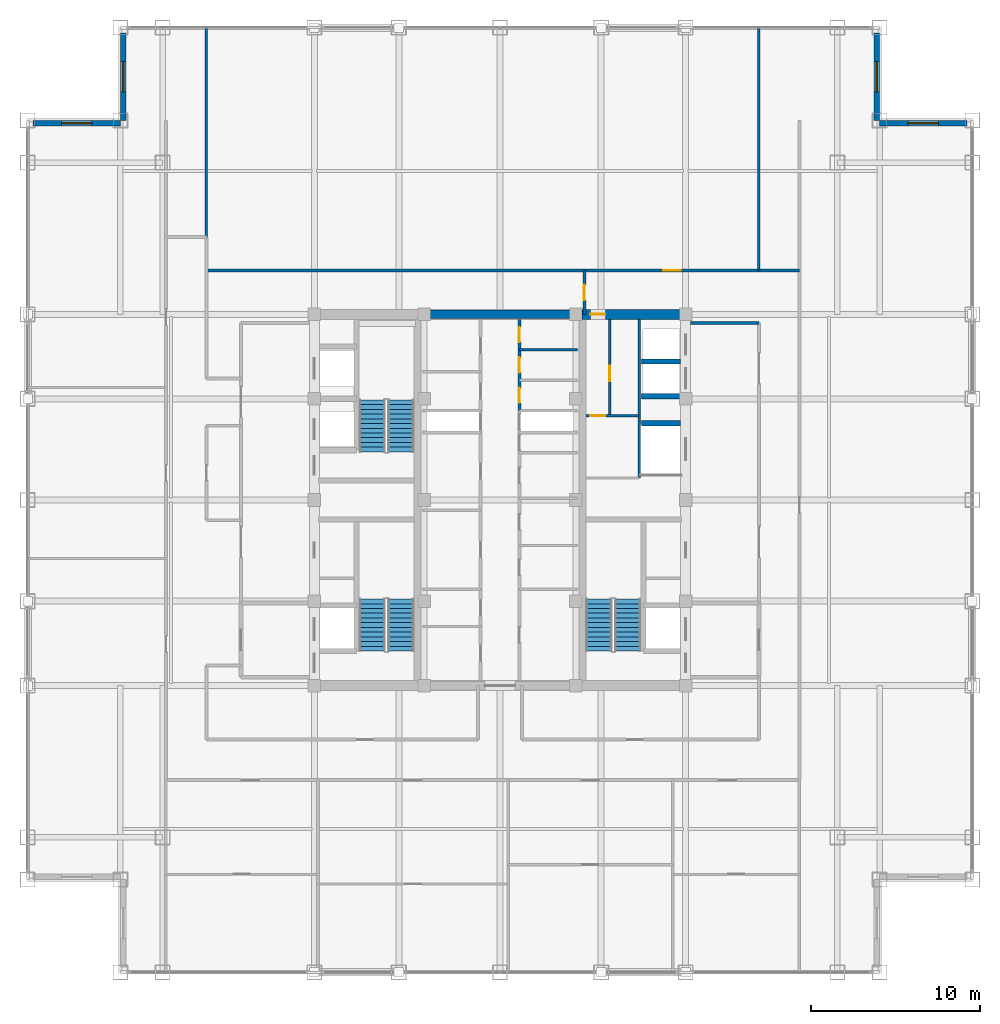
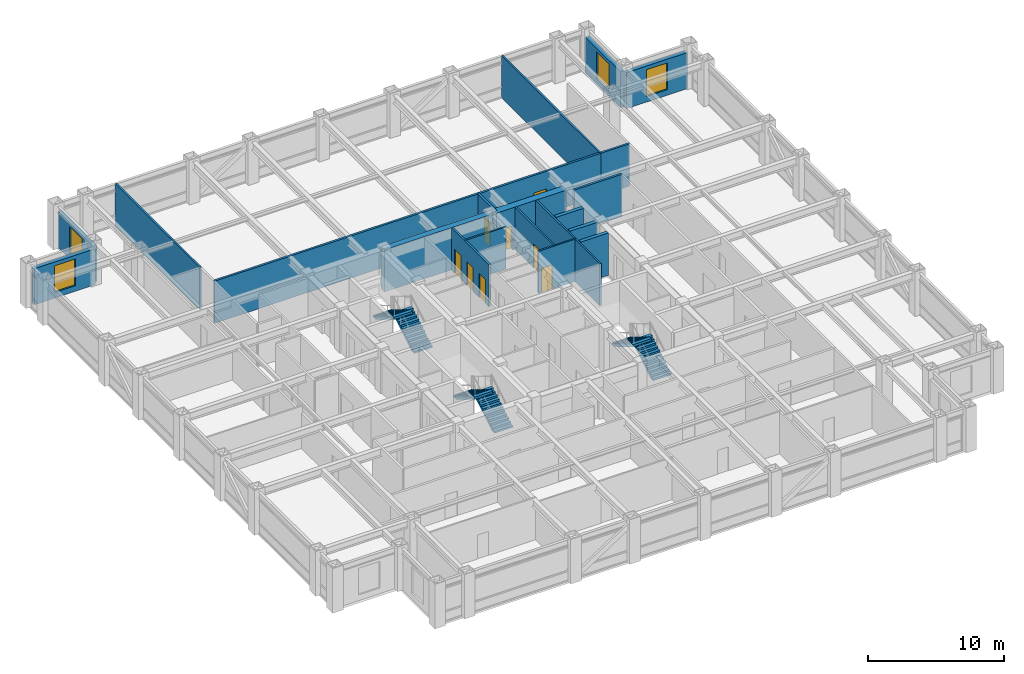
# One storey, part 21 of 22: 20 walls, 8 doors, 6 stair flights, 4 windows, 12 openings, 3 elements without a shape of their own.
"""IFC4 building model written with IfcOpenShell, lengths in metres."""

from ifc_helpers import new_model, si_unit, direction, frame, frame_2d, origin, place, context, subcontext, project, spatial, polyline, rectangle, outline, extrude, source, transform, mapped, material, layer, layer_set, type_object, element, fill, aggregate, save


model = new_model("IFC4")

# Units and contexts
model_context = context("Model", 3, precision=1e-05, world=origin(), true_north=direction((0.0, 1.0)))
body_context = subcontext(model_context, "Body", "Model", "MODEL_VIEW")
ifc_project = project(units=[si_unit("LENGTHUNIT", "METRE"), si_unit("AREAUNIT", "SQUARE_METRE"), si_unit("VOLUMEUNIT", "CUBIC_METRE"), si_unit("PLANEANGLEUNIT", "RADIAN"), si_unit("MASSUNIT", "GRAM", prefix="KILO")], contexts=[model_context])

# Site, building, storey
site_placement = place(None, origin())
site = spatial("IfcSite", under=ifc_project, at=site_placement, CompositionType="ELEMENT")
building_placement = place(site_placement, origin())
building = spatial("IfcBuilding", under=site, at=building_placement, Name="Khorayat Bourse Tower", CompositionType="ELEMENT")
storey_placement = place(building_placement, frame((0.0, 0.0, 289.5)))
storey = spatial("IfcBuildingStorey", under=building, at=storey_placement, Name="L68", CompositionType="ELEMENT", Elevation=289.5)

# Wall, opening, door
ifc_material_1 = material(Name="Concrete C60/75", Category="concrete")
ifc_layer_1 = layer(ifc_material_1, 0.60009765625)
ifc_layer_set_1 = layer_set([ifc_layer_1], Name="Concrete C60/75")
wall_type_1 = type_object("IfcWallType", Name="WAL-CORE-600", PredefinedType="SHEAR", material=ifc_layer_set_1)
shared_shape_1 = source(origin(), body_context, "Body", "SweptSolid", [
    extrude(rectangle(XDim=5.89990234375, YDim=0.60009765625, at=frame_2d((2.949951171875, 0.0))), origin(), (0.0, 0.0, 1.0), 3.780029296875),
])
wall_1_placement = place(storey_placement, frame((4.85009765625, 11.0, 0.0), z_axis=(0.0, 0.0, 1.0), x_axis=(1.0, 0.0, 0.0)))
wall_1 = element("IfcWall", 1, at=wall_1_placement, inside=storey, type_object=wall_type_1, Name="L68 Core Shear Wall PIER-EN", PredefinedType="SHEAR", context=body_context, shape_type="MappedRepresentation", body=[
    mapped(shared_shape_1, transform((0.0, 0.0, 0.0), scale=1.0)),
])
shared_shape_2 = source(origin(), body_context, "Body", "SweptSolid", [
    extrude(rectangle(XDim=0.89990234375, YDim=2.14990234375, at=frame_2d((0.449951171875, 1.074951171875))), frame((0.0, 0.31005859375, 0.0), z_axis=(0.0, -1.0, 0.0), x_axis=(1.0, 0.0, 0.0)), (0.0, 0.0, 1.0), 0.6201171875),
])
opening_1_placement = place(wall_1_placement, frame((0.5, 0.0, 0.0)))
opening_1 = element("IfcOpeningElement", 2, at=opening_1_placement, cuts=wall_1, Name="Opening DI-06", PredefinedType="OPENING", context=body_context, shape_type="MappedRepresentation", body=[
    mapped(shared_shape_2, transform((0.0, 0.0, 0.0), scale=1.0)),
])
ifc_material_2 = material(Name="Moisture-resistant laminate washroom door")
door_type_1 = type_object("IfcDoorType", Name="DR-INT-WC-900", OperationType="NOTDEFINED", PredefinedType="DOOR", material=ifc_material_2)
shared_shape_3 = source(origin(), body_context, "Body", "SweptSolid", [
    extrude(rectangle(XDim=0.89990234375, YDim=2.14990234375, at=frame_2d((0.449951171875, 1.074951171875))), frame((0.0, 0.02490234375, 0.0), z_axis=(0.0, -1.0, 0.0), x_axis=(1.0, 0.0, 0.0)), (0.0, 0.0, 1.0), 0.050048828125),
])
door_1_placement = place(opening_1_placement, origin())
door_1 = element("IfcDoor", 3, at=door_1_placement, inside=storey, type_object=door_type_1, Name="L68 Core Washroom Lobby Door", OperationType="SINGLE_SWING_LEFT", OverallHeight=2.14990234375, OverallWidth=0.89990234375, PredefinedType="DOOR", context=body_context, shape_type="MappedRepresentation", body=[
    mapped(shared_shape_3, transform((0.0, 0.0, 0.0), scale=1.0)),
])
fill(opening_1, door_1)

# Wall
ifc_material_3 = material(Name="Concrete C52/65", Category="concrete")
ifc_layer_2 = layer(ifc_material_3, 0.5)
ifc_layer_set_2 = layer_set([ifc_layer_2], Name="Concrete C52/65")
wall_type_2 = type_object("IfcWallType", Name="WAL-CORE-500", PredefinedType="SHEAR", material=ifc_layer_set_2)
shared_shape_4 = source(origin(), body_context, "Body", "SweptSolid", [
    extrude(rectangle(XDim=9.2001953125, YDim=0.5, at=frame_2d((4.60009765625, 0.0))), origin(), (0.0, 0.0, 1.0), 3.780029296875),
])
wall_2_placement = place(storey_placement, frame((-4.60009765625, 11.0, 0.0), z_axis=(0.0, 0.0, 1.0), x_axis=(1.0, 0.0, 0.0)))
element("IfcWall", 4, at=wall_2_placement, inside=storey, type_object=wall_type_2, Name="L68 Core Shear Wall CORE-N", PredefinedType="SHEAR", context=body_context, shape_type="MappedRepresentation", body=[
    mapped(shared_shape_4, transform((0.0, 0.0, 0.0), scale=1.0)),
])

# Wall, opening, window
ifc_material_4 = material(Name="Precast concrete C45/55", Category="concrete")
ifc_layer_3 = layer(ifc_material_4, 0.320068359375)
ifc_layer_set_3 = layer_set([ifc_layer_3], Name="Precast concrete C45/55")
wall_type_3 = type_object("IfcWallType", Name="WAL-EXT-STONE-320", PredefinedType="STANDARD", material=ifc_layer_set_3)
shared_shape_5 = source(origin(), body_context, "Body", "SweptSolid", [
    extrude(rectangle(XDim=5.179931640625, YDim=0.320068359375, at=frame_2d((2.58984375, 0.0))), origin(), (0.0, 0.0, 1.0), 3.23095703125),
])
wall_3_placement = place(storey_placement, frame((22.5, 22.340087890625, 0.0), z_axis=(0.0, 0.0, 1.0), x_axis=(1.0, 0.0, 0.0)))
wall_3 = element("IfcWall", 5, at=wall_3_placement, inside=storey, type_object=wall_type_3, Name="L68 Re-Entrant Notch Limestone Wall NE-H", PredefinedType="STANDARD", context=body_context, shape_type="MappedRepresentation", body=[
    mapped(shared_shape_5, transform((0.0, 0.0, 0.0), scale=1.0)),
])
shared_shape_6 = source(origin(), body_context, "Body", "SweptSolid", [
    extrude(rectangle(XDim=1.800048828125, YDim=2.39990234375, at=frame_2d((0.89990234375, 1.199951171875))), frame((0.0, 0.169921875, 0.0), z_axis=(0.0, -1.0, 0.0), x_axis=(1.0, 0.0, 0.0)), (0.0, 0.0, 1.0), 0.340087890625),
])
opening_2_placement = place(wall_3_placement, frame((1.68994140625, 0.0, 0.5)))
opening_2 = element("IfcOpeningElement", 6, at=opening_2_placement, cuts=wall_3, Name="Opening WN-04", PredefinedType="OPENING", context=body_context, shape_type="MappedRepresentation", body=[
    mapped(shared_shape_6, transform((0.0, 0.0, 0.0), scale=1.0)),
])
ifc_material_5 = material(Name="Low-E acoustic laminated double glazing", Category="glass")
window_type = type_object("IfcWindowType", Name="WIN-NOTCH-1800x2400", PartitioningType="SINGLE_PANEL", PredefinedType="WINDOW", material=ifc_material_5)
shared_shape_7 = source(origin(), body_context, "Body", "SweptSolid", [
    extrude(rectangle(XDim=1.800048828125, YDim=2.39990234375, at=frame_2d((0.89990234375, 1.199951171875))), frame((0.0, 0.030029296875, 0.0), z_axis=(0.0, -1.0, 0.0), x_axis=(1.0, 0.0, 0.0)), (0.0, 0.0, 1.0), 0.06005859375),
])
window_1_placement = place(opening_2_placement, origin())
window_1 = element("IfcWindow", 7, at=window_1_placement, inside=storey, type_object=window_type, Name="L68 Facade Window 1", OverallHeight=2.39990234375, OverallWidth=1.800048828125, PartitioningType="SINGLE_PANEL", PredefinedType="WINDOW", context=body_context, shape_type="MappedRepresentation", body=[
    mapped(shared_shape_7, transform((0.0, 0.0, 0.0), scale=1.0)),
])
fill(opening_2, window_1)

wall_4_placement = place(storey_placement, frame((22.340087890625, 22.5, 0.0), z_axis=(0.0, 0.0, 1.0), x_axis=(0.0, 1.0, 0.0)))
wall_4 = element("IfcWall", 8, at=wall_4_placement, inside=storey, type_object=wall_type_3, Name="L68 Re-Entrant Notch Limestone Wall NE-V", PredefinedType="STANDARD", context=body_context, shape_type="MappedRepresentation", body=[
    mapped(shared_shape_5, transform((0.0, 0.0, 0.0), scale=1.0)),
])
opening_3_placement = place(wall_4_placement, frame((1.68994140625, 0.0, 0.5)))
opening_3 = element("IfcOpeningElement", 9, at=opening_3_placement, cuts=wall_4, Name="Opening WN-04", PredefinedType="OPENING", context=body_context, shape_type="MappedRepresentation", body=[
    mapped(shared_shape_6, transform((0.0, 0.0, 0.0), scale=1.0)),
])
window_2_placement = place(opening_3_placement, origin())
window_2 = element("IfcWindow", 10, at=window_2_placement, inside=storey, type_object=window_type, Name="L68 Facade Window 1", OverallHeight=2.39990234375, OverallWidth=1.800048828125, PartitioningType="SINGLE_PANEL", PredefinedType="WINDOW", context=body_context, shape_type="MappedRepresentation", body=[
    mapped(shared_shape_7, transform((0.0, 0.0, 0.0), scale=1.0)),
])
fill(opening_3, window_2)

wall_5_placement = place(storey_placement, frame((-22.340087890625, 22.5, 0.0), z_axis=(0.0, 0.0, 1.0), x_axis=(0.0, 1.0, 0.0)))
wall_5 = element("IfcWall", 11, at=wall_5_placement, inside=storey, type_object=wall_type_3, Name="L68 Re-Entrant Notch Limestone Wall NW-V", PredefinedType="STANDARD", context=body_context, shape_type="MappedRepresentation", body=[
    mapped(shared_shape_5, transform((0.0, 0.0, 0.0), scale=1.0)),
])
opening_4_placement = place(wall_5_placement, frame((1.68994140625, 0.0, 0.5)))
opening_4 = element("IfcOpeningElement", 12, at=opening_4_placement, cuts=wall_5, Name="Opening WN-04", PredefinedType="OPENING", context=body_context, shape_type="MappedRepresentation", body=[
    mapped(shared_shape_6, transform((0.0, 0.0, 0.0), scale=1.0)),
])
window_3_placement = place(opening_4_placement, origin())
window_3 = element("IfcWindow", 13, at=window_3_placement, inside=storey, type_object=window_type, Name="L68 Facade Window 1", OverallHeight=2.39990234375, OverallWidth=1.800048828125, PartitioningType="SINGLE_PANEL", PredefinedType="WINDOW", context=body_context, shape_type="MappedRepresentation", body=[
    mapped(shared_shape_7, transform((0.0, 0.0, 0.0), scale=1.0)),
])
fill(opening_4, window_3)

wall_6_placement = place(storey_placement, frame((-22.5, 22.340087890625, 0.0), z_axis=(0.0, 0.0, 1.0), x_axis=(-1.0, 0.0, 0.0)))
wall_6 = element("IfcWall", 14, at=wall_6_placement, inside=storey, type_object=wall_type_3, Name="L68 Re-Entrant Notch Limestone Wall NW-H", PredefinedType="STANDARD", context=body_context, shape_type="MappedRepresentation", body=[
    mapped(shared_shape_5, transform((0.0, 0.0, 0.0), scale=1.0)),
])
opening_5_placement = place(wall_6_placement, frame((1.68994140625, 0.0, 0.5)))
opening_5 = element("IfcOpeningElement", 15, at=opening_5_placement, cuts=wall_6, Name="Opening WN-04", PredefinedType="OPENING", context=body_context, shape_type="MappedRepresentation", body=[
    mapped(shared_shape_6, transform((0.0, 0.0, 0.0), scale=1.0)),
])
window_4_placement = place(opening_5_placement, origin())
window_4 = element("IfcWindow", 16, at=window_4_placement, inside=storey, type_object=window_type, Name="L68 Facade Window 1", OverallHeight=2.39990234375, OverallWidth=1.800048828125, PartitioningType="SINGLE_PANEL", PredefinedType="WINDOW", context=body_context, shape_type="MappedRepresentation", body=[
    mapped(shared_shape_7, transform((0.0, 0.0, 0.0), scale=1.0)),
])
fill(opening_5, window_4)

# Walls
ifc_material_6 = material(Name="Concrete C50/60", Category="concrete")
ifc_layer_4 = layer(ifc_material_6, 0.300048828125)
ifc_layer_set_4 = layer_set([ifc_layer_4], Name="Concrete C50/60")
wall_type_4 = type_object("IfcWallType", Name="WAL-SHAFT-300", PredefinedType="SHEAR", material=ifc_layer_set_4)
shared_shape_8 = source(origin(), body_context, "Body", "SweptSolid", [
    extrude(rectangle(XDim=2.300048828125, YDim=0.300048828125, at=frame_2d((1.14990234375, 0.0))), origin(), (0.0, 0.0, 1.0), 3.780029296875),
])
for number, where, z_axis, x_axis, name in (
    (17, (8.39990234375, 4.550048828125, 0.0), (0.0, 0.0, 1.0), (1.0, 0.0, 0.0), "L68 Partition WAL-L68-EPIER-SVLN"),
    (18, (8.39990234375, 6.14990234375, 0.0), (0.0, 0.0, 1.0), (1.0, 0.0, 0.0), "L68 Partition WAL-L68-EPIER-H3S"),
    (19, (8.39990234375, 8.199951171875, 0.0), (0.0, 0.0, 1.0), (1.0, 0.0, 0.0), "L68 Partition WAL-L68-EPIER-H34"),
):
    element("IfcWall", number, at=place(storey_placement, frame(where, z_axis=z_axis, x_axis=x_axis)), inside=storey, type_object=wall_type_4, Name=name, PredefinedType="SHEAR", context=body_context, shape_type="MappedRepresentation", body=[
        mapped(shared_shape_8, transform((0.0, 0.0, 0.0), scale=1.0)),
    ])
ifc_material_7 = material(Name="Moisture-resistant masonry partition", Category="masonry")
ifc_layer_5 = layer(ifc_material_7, 0.139892578125)
ifc_layer_set_5 = layer_set([ifc_layer_5], Name="Moisture-resistant masonry partition")
wall_type_5 = type_object("IfcWallType", Name="WAL-PART-WET-140", PredefinedType="PARTITIONING", material=ifc_layer_set_5)
shared_shape_9 = source(origin(), body_context, "Body", "SweptSolid", [
    extrude(rectangle(XDim=9.39990234375, YDim=0.139892578125, at=frame_2d((4.699951171875, 0.0))), origin(), (0.0, 0.0, 1.0), 3.780029296875),
])
wall_7_placement = place(storey_placement, frame((8.25, 1.300048828125, 0.0), z_axis=(0.0, 0.0, 1.0), x_axis=(0.0, 1.0, 0.0)))
element("IfcWall", 20, at=wall_7_placement, inside=storey, type_object=wall_type_5, Name="L68 Partition WAL-L68-ECORE-E", PredefinedType="PARTITIONING", context=body_context, shape_type="MappedRepresentation", body=[
    mapped(shared_shape_9, transform((0.0, 0.0, 0.0), scale=1.0)),
])

# Wall, opening, door
shared_shape_10 = source(origin(), body_context, "Body", "SweptSolid", [
    extrude(rectangle(XDim=3.14990234375, YDim=0.139892578125, at=frame_2d((1.574951171875, 0.0))), origin(), (0.0, 0.0, 1.0), 3.780029296875),
])
wall_8_placement = place(storey_placement, frame((5.10009765625, 5.0, 0.0), z_axis=(0.0, 0.0, 1.0), x_axis=(1.0, 0.0, 0.0)))
wall_8 = element("IfcWall", 21, at=wall_8_placement, inside=storey, type_object=wall_type_5, Name="L68 Partition WAL-L68-ECW-BOT", PredefinedType="PARTITIONING", context=body_context, shape_type="MappedRepresentation", body=[
    mapped(shared_shape_10, transform((0.0, 0.0, 0.0), scale=1.0)),
])
shared_shape_11 = source(origin(), body_context, "Body", "SweptSolid", [
    extrude(rectangle(XDim=0.89990234375, YDim=2.14990234375, at=frame_2d((0.449951171875, 1.074951171875))), frame((0.0, 0.079833984375, 0.0), z_axis=(0.0, -1.0, 0.0), x_axis=(1.0, 0.0, 0.0)), (0.0, 0.0, 1.0), 0.159912109375),
])
opening_6_placement = place(wall_8_placement, frame((0.25, 0.0, 0.0)))
opening_6 = element("IfcOpeningElement", 22, at=opening_6_placement, cuts=wall_8, Name="Opening DI-06", PredefinedType="OPENING", context=body_context, shape_type="MappedRepresentation", body=[
    mapped(shared_shape_11, transform((0.0, 0.0, 0.0), scale=1.0)),
])
door_2_placement = place(opening_6_placement, origin())
door_2 = element("IfcDoor", 23, at=door_2_placement, inside=storey, type_object=door_type_1, Name="L68 Shared Washroom Door", OperationType="SINGLE_SWING_LEFT", OverallHeight=2.14990234375, OverallWidth=0.89990234375, PredefinedType="DOOR", context=body_context, shape_type="MappedRepresentation", body=[
    mapped(shared_shape_3, transform((0.0, 0.0, 0.0), scale=1.0)),
])
fill(opening_6, door_2)

# Wall
ifc_material_8 = material(Name="Gypsum plasterboard acoustic stud wall")
ifc_layer_6 = layer(ifc_material_8, 0.179931640625)
ifc_layer_set_6 = layer_set([ifc_layer_6], Name="Gypsum plasterboard acoustic stud wall")
wall_type_6 = type_object("IfcWallType", Name="WAL-PART-CORR-180", PredefinedType="PARTITIONING", material=ifc_layer_set_6)
shared_shape_12 = source(origin(), body_context, "Body", "SweptSolid", [
    extrude(rectangle(XDim=4.050048828125, YDim=0.179931640625, at=frame_2d((2.02490234375, 0.0))), origin(), (0.0, 0.0, 1.0), 3.780029296875),
])
wall_9_placement = place(storey_placement, frame((11.300048828125, 10.5, 0.0), z_axis=(0.0, 0.0, 1.0), x_axis=(1.0, 0.0, 0.0)))
element("IfcWall", 24, at=wall_9_placement, inside=storey, type_object=wall_type_6, Name="L68 Partition WAL-L68-ELOB-N", PredefinedType="PARTITIONING", context=body_context, shape_type="MappedRepresentation", body=[
    mapped(shared_shape_12, transform((0.0, 0.0, 0.0), scale=1.0)),
])

# Wall, openings, doors
shared_shape_13 = source(origin(), body_context, "Body", "SweptSolid", [
    extrude(rectangle(XDim=5.39990234375, YDim=0.179931640625, at=frame_2d((2.699951171875, 0.0))), origin(), (0.0, 0.0, 1.0), 3.780029296875),
])
wall_10_placement = place(storey_placement, frame((1.14990234375, 5.300048828125, 0.0), z_axis=(0.0, 0.0, 1.0), x_axis=(0.0, 1.0, 0.0)))
wall_10 = element("IfcWall", 25, at=wall_10_placement, inside=storey, type_object=wall_type_6, Name="L68 Partition WAL-L68-FB2E-L", PredefinedType="PARTITIONING", context=body_context, shape_type="MappedRepresentation", body=[
    mapped(shared_shape_13, transform((0.0, 0.0, 0.0), scale=1.0)),
])
shared_shape_14 = source(origin(), body_context, "Body", "SweptSolid", [
    extrude(rectangle(XDim=0.89990234375, YDim=2.14990234375, at=frame_2d((0.449951171875, 1.074951171875))), frame((0.0, 0.099853515625, 0.0), z_axis=(0.0, -1.0, 0.0), x_axis=(1.0, 0.0, 0.0)), (0.0, 0.0, 1.0), 0.199951171875),
])
opening_7_placement = place(wall_10_placement, frame((0.449951171875, 0.0, 0.0)))
opening_7 = element("IfcOpeningElement", 26, at=opening_7_placement, cuts=wall_10, Name="Opening DI-06", PredefinedType="OPENING", context=body_context, shape_type="MappedRepresentation", body=[
    mapped(shared_shape_14, transform((0.0, 0.0, 0.0), scale=1.0)),
])
opening_8_placement = place(wall_10_placement, frame((2.25, 0.0, 0.0)))
opening_8 = element("IfcOpeningElement", 27, at=opening_8_placement, cuts=wall_10, Name="Opening DI-06", PredefinedType="OPENING", context=body_context, shape_type="MappedRepresentation", body=[
    mapped(shared_shape_14, transform((0.0, 0.0, 0.0), scale=1.0)),
])
opening_9_placement = place(wall_10_placement, frame((4.050048828125, 0.0, 0.0)))
opening_9 = element("IfcOpeningElement", 28, at=opening_9_placement, cuts=wall_10, Name="Opening DI-06", PredefinedType="OPENING", context=body_context, shape_type="MappedRepresentation", body=[
    mapped(shared_shape_14, transform((0.0, 0.0, 0.0), scale=1.0)),
])
door_3_placement = place(opening_7_placement, origin())
door_3 = element("IfcDoor", 29, at=door_3_placement, inside=storey, type_object=door_type_1, Name="L68 Linen Store Door", OperationType="SINGLE_SWING_RIGHT", OverallHeight=2.14990234375, OverallWidth=0.89990234375, PredefinedType="DOOR", context=body_context, shape_type="MappedRepresentation", body=[
    mapped(shared_shape_3, transform((0.0, 0.0, 0.0), scale=1.0)),
])
fill(opening_7, door_3)
door_4_placement = place(opening_8_placement, origin())
door_4 = element("IfcDoor", 30, at=door_4_placement, inside=storey, type_object=door_type_1, Name="L68 Sub-Meter Room Door", OperationType="SINGLE_SWING_LEFT", OverallHeight=2.14990234375, OverallWidth=0.89990234375, PredefinedType="DOOR", context=body_context, shape_type="MappedRepresentation", body=[
    mapped(shared_shape_3, transform((0.0, 0.0, 0.0), scale=1.0)),
])
fill(opening_8, door_4)
door_5_placement = place(opening_9_placement, origin())
door_5 = element("IfcDoor", 31, at=door_5_placement, inside=storey, type_object=door_type_1, Name="L68 Records Store Door", OperationType="SINGLE_SWING_RIGHT", OverallHeight=2.14990234375, OverallWidth=0.89990234375, PredefinedType="DOOR", context=body_context, shape_type="MappedRepresentation", body=[
    mapped(shared_shape_3, transform((0.0, 0.0, 0.0), scale=1.0)),
])
fill(opening_9, door_5)

# Wall
shared_shape_15 = source(origin(), body_context, "Body", "SweptSolid", [
    extrude(rectangle(XDim=3.4501953125, YDim=0.139892578125, at=frame_2d((1.72509765625, 0.0))), origin(), (0.0, 0.0, 1.0), 3.780029296875),
])
wall_11_placement = place(storey_placement, frame((1.14990234375, 8.89990234375, 0.0), z_axis=(0.0, 0.0, 1.0), x_axis=(1.0, 0.0, 0.0)))
element("IfcWall", 32, at=wall_11_placement, inside=storey, type_object=wall_type_5, Name="L68 Partition WAL-L68-FB2E-D2", PredefinedType="PARTITIONING", context=body_context, shape_type="MappedRepresentation", body=[
    mapped(shared_shape_15, transform((0.0, 0.0, 0.0), scale=1.0)),
])

# Wall, opening, door
shared_shape_16 = source(origin(), body_context, "Body", "SweptSolid", [
    extrude(rectangle(XDim=2.60009765625, YDim=0.179931640625, at=frame_2d((1.300048828125, 0.0))), origin(), (0.0, 0.0, 1.0), 3.780029296875),
])
wall_12_placement = place(storey_placement, frame((5.0, 11.0, 0.0), z_axis=(0.0, 0.0, 1.0), x_axis=(0.0, 1.0, 0.0)))
wall_12 = element("IfcWall", 33, at=wall_12_placement, inside=storey, type_object=wall_type_6, Name="L68 Partition WAL-L68-CORRNE-W", PredefinedType="PARTITIONING", context=body_context, shape_type="MappedRepresentation", body=[
    mapped(shared_shape_16, transform((0.0, 0.0, 0.0), scale=1.0)),
])
opening_10_placement = place(wall_12_placement, frame((0.85009765625, 0.0, 0.0)))
opening_10 = element("IfcOpeningElement", 34, at=opening_10_placement, cuts=wall_12, Name="Opening DI-06", PredefinedType="OPENING", context=body_context, shape_type="MappedRepresentation", body=[
    mapped(shared_shape_14, transform((0.0, 0.0, 0.0), scale=1.0)),
])
door_6_placement = place(opening_10_placement, origin())
door_6 = element("IfcDoor", 35, at=door_6_placement, inside=storey, type_object=door_type_1, Name="L68 North Core Pantry Door", OperationType="SINGLE_SWING_LEFT", OverallHeight=2.14990234375, OverallWidth=0.89990234375, PredefinedType="DOOR", context=body_context, shape_type="MappedRepresentation", body=[
    mapped(shared_shape_3, transform((0.0, 0.0, 0.0), scale=1.0)),
])
fill(opening_10, door_6)

# Wall
shared_shape_17 = source(origin(), body_context, "Body", "SweptSolid", [
    extrude(rectangle(XDim=2.39990234375, YDim=0.179931640625, at=frame_2d((1.199951171875, 0.0))), origin(), (0.0, 0.0, 1.0), 3.780029296875),
])
wall_13_placement = place(storey_placement, frame((15.35009765625, 13.60009765625, 0.0), z_axis=(0.0, 0.0, 1.0), x_axis=(1.0, 0.0, 0.0)))
element("IfcWall", 36, at=wall_13_placement, inside=storey, type_object=wall_type_6, Name="L68 Partition WAL-L68-GALE-N", PredefinedType="PARTITIONING", context=body_context, shape_type="MappedRepresentation", body=[
    mapped(shared_shape_17, transform((0.0, 0.0, 0.0), scale=1.0)),
])

# Wall, opening, door
shared_shape_18 = source(origin(), body_context, "Body", "SweptSolid", [
    extrude(rectangle(XDim=32.75, YDim=0.179931640625, at=frame_2d((16.375, 0.0))), origin(), (0.0, 0.0, 1.0), 3.780029296875),
])
wall_14_placement = place(storey_placement, frame((-17.39990234375, 13.60009765625, 0.0), z_axis=(0.0, 0.0, 1.0), x_axis=(1.0, 0.0, 0.0)))
wall_14 = element("IfcWall", 37, at=wall_14_placement, inside=storey, type_object=wall_type_6, Name="L68 Partition WAL-L68-NCORR", PredefinedType="PARTITIONING", context=body_context, shape_type="MappedRepresentation", body=[
    mapped(shared_shape_18, transform((0.0, 0.0, 0.0), scale=1.0)),
])
shared_shape_19 = source(origin(), body_context, "Body", "SweptSolid", [
    extrude(rectangle(XDim=1.050048828125, YDim=2.199951171875, at=frame_2d((0.52490234375, 1.10009765625))), frame((0.0, 0.099853515625, 0.0), z_axis=(0.0, -1.0, 0.0), x_axis=(1.0, 0.0, 0.0)), (0.0, 0.0, 1.0), 0.199951171875),
])
opening_11_placement = place(wall_14_placement, frame((27.074951171875, 0.0, 0.0)))
opening_11 = element("IfcOpeningElement", 38, at=opening_11_placement, cuts=wall_14, Name="Opening DI-04", PredefinedType="OPENING", context=body_context, shape_type="MappedRepresentation", body=[
    mapped(shared_shape_19, transform((0.0, 0.0, 0.0), scale=1.0)),
])
ifc_material_9 = material(Name="Fire-rated oak veneer suite entrance door")
door_type_2 = type_object("IfcDoorType", Name="DR-INT-SUITE-1050", OperationType="NOTDEFINED", PredefinedType="DOOR", material=ifc_material_9)
shared_shape_20 = source(origin(), body_context, "Body", "SweptSolid", [
    extrude(rectangle(XDim=1.050048828125, YDim=2.199951171875, at=frame_2d((0.52490234375, 1.10009765625))), frame((0.0, 0.02490234375, 0.0), z_axis=(0.0, -1.0, 0.0), x_axis=(1.0, 0.0, 0.0)), (0.0, 0.0, 1.0), 0.050048828125),
])
door_7_placement = place(opening_11_placement, origin())
door_7 = element("IfcDoor", 39, at=door_7_placement, inside=storey, type_object=door_type_2, Name="L68 Market Reference Library N1 Door", OperationType="SINGLE_SWING_RIGHT", OverallHeight=2.199951171875, OverallWidth=1.050048828125, PredefinedType="DOOR", context=body_context, shape_type="MappedRepresentation", body=[
    mapped(shared_shape_20, transform((0.0, 0.0, 0.0), scale=1.0)),
])
fill(opening_11, door_7)

# Walls
ifc_material_10 = material(Name="Gypsum plasterboard twin-frame partition")
ifc_layer_7 = layer(ifc_material_10, 0.14990234375)
ifc_layer_set_7 = layer_set([ifc_layer_7], Name="Gypsum plasterboard twin-frame partition")
wall_type_7 = type_object("IfcWallType", Name="WAL-PART-SUITE-150", PredefinedType="PARTITIONING", material=ifc_layer_set_7)
shared_shape_21 = source(origin(), body_context, "Body", "SweptSolid", [
    extrude(rectangle(XDim=12.39990234375, YDim=0.14990234375, at=frame_2d((6.199951171875, 0.0))), origin(), (0.0, 0.0, 1.0), 3.780029296875),
])
wall_15_placement = place(storey_placement, frame((-17.39990234375, 15.60009765625, 0.0), z_axis=(0.0, 0.0, 1.0), x_axis=(0.0, 1.0, 0.0)))
element("IfcWall", 40, at=wall_15_placement, inside=storey, type_object=wall_type_7, Name="L68 Partition WAL-L68-NCW-END", PredefinedType="PARTITIONING", context=body_context, shape_type="MappedRepresentation", body=[
    mapped(shared_shape_21, transform((0.0, 0.0, 0.0), scale=1.0)),
])
shared_shape_22 = source(origin(), body_context, "Body", "SweptSolid", [
    extrude(rectangle(XDim=14.39990234375, YDim=0.14990234375, at=frame_2d((7.199951171875, 0.0))), origin(), (0.0, 0.0, 1.0), 3.780029296875),
])
wall_16_placement = place(storey_placement, frame((15.35009765625, 13.60009765625, 0.0), z_axis=(0.0, 0.0, 1.0), x_axis=(0.0, 1.0, 0.0)))
element("IfcWall", 41, at=wall_16_placement, inside=storey, type_object=wall_type_7, Name="L68 Partition WAL-L68-NCE-END", PredefinedType="PARTITIONING", context=body_context, shape_type="MappedRepresentation", body=[
    mapped(shared_shape_22, transform((0.0, 0.0, 0.0), scale=1.0)),
])

# Wall, opening, door
shared_shape_23 = source(origin(), body_context, "Body", "SweptSolid", [
    extrude(rectangle(XDim=5.699951171875, YDim=0.139892578125, at=frame_2d((2.85009765625, 0.0))), origin(), (0.0, 0.0, 1.0), 3.780029296875),
])
wall_17_placement = place(storey_placement, frame((6.5, 5.0, 0.0), z_axis=(0.0, 0.0, 1.0), x_axis=(0.0, 1.0, 0.0)))
wall_17 = element("IfcWall", 42, at=wall_17_placement, inside=storey, type_object=wall_type_5, Name="L68 Partition WAL-L68-ECW-MID", PredefinedType="PARTITIONING", context=body_context, shape_type="MappedRepresentation", body=[
    mapped(shared_shape_23, transform((0.0, 0.0, 0.0), scale=1.0)),
])
opening_12_placement = place(wall_17_placement, frame((2.050048828125, 0.0, 0.0)))
opening_12 = element("IfcOpeningElement", 43, at=opening_12_placement, cuts=wall_17, Name="Opening DI-06", PredefinedType="OPENING", context=body_context, shape_type="MappedRepresentation", body=[
    mapped(shared_shape_11, transform((0.0, 0.0, 0.0), scale=1.0)),
])
door_8_placement = place(opening_12_placement, origin())
door_8 = element("IfcDoor", 44, at=door_8_placement, inside=storey, type_object=door_type_1, Name="L68 Accessible WC Door", OperationType="SINGLE_SWING_RIGHT", OverallHeight=2.14990234375, OverallWidth=0.89990234375, PredefinedType="DOOR", context=body_context, shape_type="MappedRepresentation", body=[
    mapped(shared_shape_3, transform((0.0, 0.0, 0.0), scale=1.0)),
])
fill(opening_12, door_8)

# Stair, stair flights
ifc_material_11 = material(Name="Concrete C40/50", Category="concrete")
stair_type = type_object("IfcStairType", Name="STR-CORE-1550", PredefinedType="HALF_TURN_STAIR", material=ifc_material_11)
stair_1_placement = place(storey_placement, origin())
stair_1 = element("IfcStair", 45, at=stair_1_placement, inside=storey, type_object=stair_type, Name="L68 Exit Stair ST-1", PredefinedType="HALF_TURN_STAIR")
stair_flight_type = type_object("IfcStairFlightType", Name="FLT-CORE-1550", PredefinedType="STRAIGHT", material=ifc_material_11)
shared_shape_24 = source(origin(), body_context, "Body", "SweptSolid", [
    extrude(outline(polyline([(0.0, 0.0), (0.0, 0.166748046875), (0.280029296875, 0.166748046875), (0.280029296875, 0.333251953125), (0.56005859375, 0.333251953125), (0.56005859375, 0.5), (0.840087890625, 0.5), (0.840087890625, 0.666748046875), (1.1201171875, 0.666748046875), (1.1201171875, 0.833251953125), (1.39990234375, 0.833251953125), (1.39990234375, 1.0), (1.679931640625, 1.0), (1.679931640625, 1.166748046875), (1.9599609375, 1.166748046875), (1.9599609375, 1.333251953125), (2.239990234375, 1.333251953125), (2.239990234375, 1.5), (2.52001953125, 1.5), (2.52001953125, 1.666748046875), (2.800048828125, 1.666748046875), (2.800048828125, 1.833251953125), (3.080078125, 1.833251953125), (3.080078125, 2.0), (3.080078125, 1.6240234375), (0.351806640625, 0.0), (0.0, 0.0)])), frame((0.0, 0.77490234375, 0.0), z_axis=(0.0, -1.0, 0.0), x_axis=(1.0, 0.0, 0.0)), (0.0, 0.0, 1.0), 1.550048828125),
])
stair_flight_1_placement = place(storey_placement, frame((-5.875, -8.949951171875, 0.0), z_axis=(0.0, 0.0, 1.0), x_axis=(0.0, 1.0, 0.0)))
stair_flight_1 = element("IfcStairFlight", 46, at=stair_flight_1_placement, type_object=stair_flight_type, Name="ST-1 flight 1", NumberOfRisers=12, NumberOfTreads=11, PredefinedType="STRAIGHT", RiserHeight=0.166666667, TreadLength=0.28, context=body_context, shape_type="MappedRepresentation", body=[
    mapped(shared_shape_24, transform((0.0, 0.0, 0.0), scale=1.0)),
])
stair_flight_2_placement = place(storey_placement, frame((-7.574951171875, -5.8701171875, 2.0), z_axis=(0.0, 0.0, 1.0), x_axis=(0.0, -1.0, 0.0)))
stair_flight_2 = element("IfcStairFlight", 47, at=stair_flight_2_placement, type_object=stair_flight_type, Name="ST-1 flight 2", NumberOfRisers=12, NumberOfTreads=11, PredefinedType="STRAIGHT", RiserHeight=0.166666667, TreadLength=0.28, context=body_context, shape_type="MappedRepresentation", body=[
    mapped(shared_shape_24, transform((0.0, 0.0, 0.0), scale=1.0)),
])
aggregate(stair_1, [stair_flight_1, stair_flight_2])

stair_2_placement = place(storey_placement, origin())
stair_2 = element("IfcStair", 48, at=stair_2_placement, inside=storey, type_object=stair_type, Name="L68 Exit Stair ST-2", PredefinedType="HALF_TURN_STAIR")
stair_flight_3_placement = place(storey_placement, frame((-5.875, 2.85009765625, 0.0), z_axis=(0.0, 0.0, 1.0), x_axis=(0.0, 1.0, 0.0)))
stair_flight_3 = element("IfcStairFlight", 49, at=stair_flight_3_placement, type_object=stair_flight_type, Name="ST-2 flight 1", NumberOfRisers=12, NumberOfTreads=11, PredefinedType="STRAIGHT", RiserHeight=0.166666667, TreadLength=0.28, context=body_context, shape_type="MappedRepresentation", body=[
    mapped(shared_shape_24, transform((0.0, 0.0, 0.0), scale=1.0)),
])
stair_flight_4_placement = place(storey_placement, frame((-7.574951171875, 5.929931640625, 2.0), z_axis=(0.0, 0.0, 1.0), x_axis=(0.0, -1.0, 0.0)))
stair_flight_4 = element("IfcStairFlight", 50, at=stair_flight_4_placement, type_object=stair_flight_type, Name="ST-2 flight 2", NumberOfRisers=12, NumberOfTreads=11, PredefinedType="STRAIGHT", RiserHeight=0.166666667, TreadLength=0.28, context=body_context, shape_type="MappedRepresentation", body=[
    mapped(shared_shape_24, transform((0.0, 0.0, 0.0), scale=1.0)),
])
aggregate(stair_2, [stair_flight_3, stair_flight_4])

stair_3_placement = place(storey_placement, origin())
stair_3 = element("IfcStair", 51, at=stair_3_placement, inside=storey, type_object=stair_type, Name="L68 Exit Stair ST-3", PredefinedType="HALF_TURN_STAIR")
stair_flight_5_placement = place(storey_placement, frame((7.574951171875, -8.949951171875, 0.0), z_axis=(0.0, 0.0, 1.0), x_axis=(0.0, 1.0, 0.0)))
stair_flight_5 = element("IfcStairFlight", 52, at=stair_flight_5_placement, type_object=stair_flight_type, Name="ST-3 flight 1", NumberOfRisers=12, NumberOfTreads=11, PredefinedType="STRAIGHT", RiserHeight=0.166666667, TreadLength=0.28, context=body_context, shape_type="MappedRepresentation", body=[
    mapped(shared_shape_24, transform((0.0, 0.0, 0.0), scale=1.0)),
])
stair_flight_6_placement = place(storey_placement, frame((5.875, -5.8701171875, 2.0), z_axis=(0.0, 0.0, 1.0), x_axis=(0.0, -1.0, 0.0)))
stair_flight_6 = element("IfcStairFlight", 53, at=stair_flight_6_placement, type_object=stair_flight_type, Name="ST-3 flight 2", NumberOfRisers=12, NumberOfTreads=11, PredefinedType="STRAIGHT", RiserHeight=0.166666667, TreadLength=0.28, context=body_context, shape_type="MappedRepresentation", body=[
    mapped(shared_shape_24, transform((0.0, 0.0, 0.0), scale=1.0)),
])
aggregate(stair_3, [stair_flight_5, stair_flight_6])

save(model, "model.ifc")
